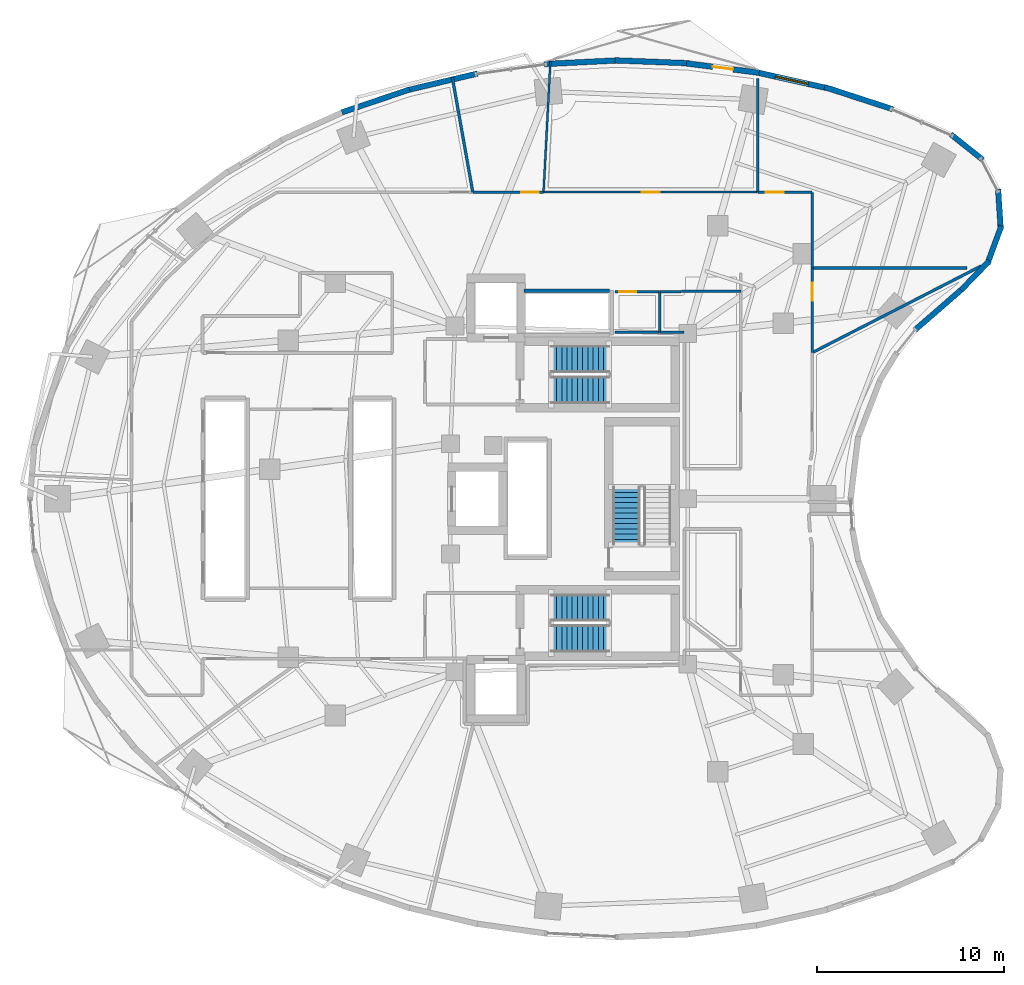
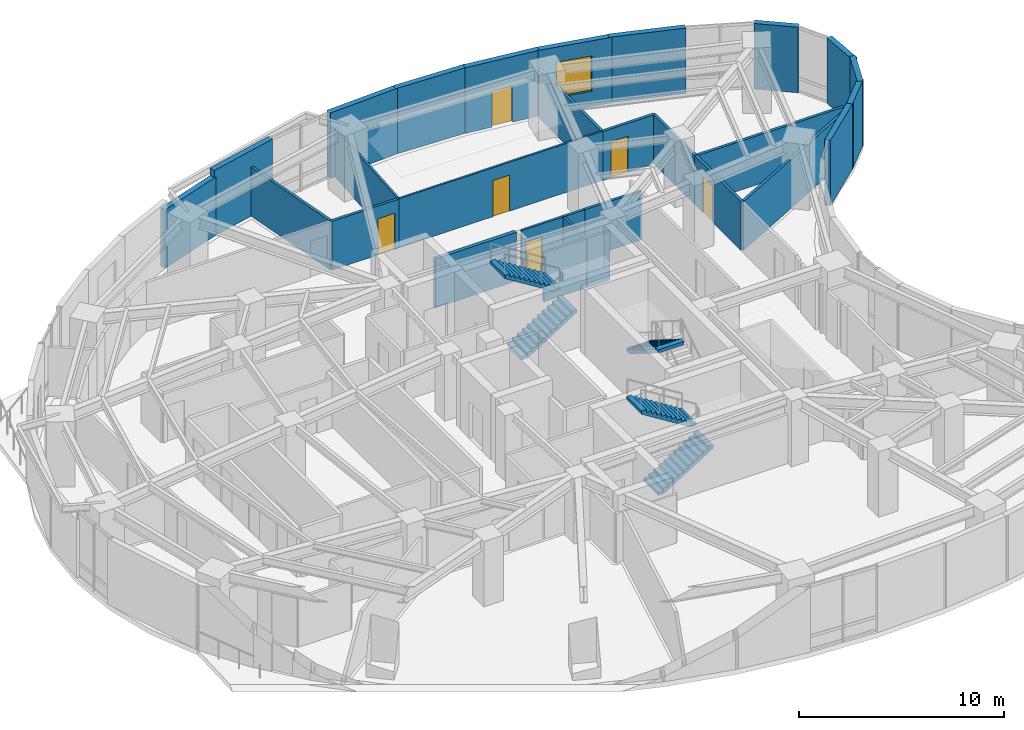
# One storey, part 11 of 15: 29 walls, 6 doors, 5 stair flights, 1 window, 7 openings, 3 elements without a shape of their own.
"""IFC4 building model written with IfcOpenShell, lengths in metres."""

from ifc_helpers import new_model, si_unit, direction, frame, frame_2d, origin, place, context, subcontext, project, spatial, polyline, rectangle, outline, extrude, material, layer, layer_set, type_object, element, fill, aggregate, save


model = new_model("IFC4")

# Units and contexts
model_context = context("Model", 3, precision=1e-05, world=origin(), true_north=direction((0.0, 1.0)))
body_context = subcontext(model_context, "Body", "Model", "MODEL_VIEW")
ifc_project = project(units=[si_unit("LENGTHUNIT", "METRE"), si_unit("AREAUNIT", "SQUARE_METRE"), si_unit("VOLUMEUNIT", "CUBIC_METRE"), si_unit("PLANEANGLEUNIT", "RADIAN"), si_unit("MASSUNIT", "GRAM", prefix="KILO")], contexts=[model_context])

# Site, building, storey
site_placement = place(None, origin())
site = spatial("IfcSite", under=ifc_project, at=site_placement, CompositionType="ELEMENT")
building_placement = place(site_placement, origin())
building = spatial("IfcBuilding", under=site, at=building_placement, Name="Korentha Bioscience Tower", CompositionType="ELEMENT")
storey_placement = place(building_placement, frame((0.0, 0.0, 30.0)))
storey = spatial("IfcBuildingStorey", under=building, at=storey_placement, Name="L06", CompositionType="ELEMENT", Elevation=30.0)

# Wall, opening, door
ifc_material_1 = material(Name="Double-Stud Acoustic Gypsum", Category="gypsum")
ifc_layer_1 = layer(ifc_material_1, 0.14990234375, Name="Double-Stud Acoustic Gypsum")
ifc_layer_set_1 = layer_set([ifc_layer_1], Name="Double-Stud Acoustic Gypsum (IW-L150)")
wall_type_1 = type_object("IfcWallType", Name="Acoustic Laboratory Partition Wall 150", PredefinedType="PARTITIONING", material=ifc_layer_set_1)
wall_1_placement = place(storey_placement, frame((44.2099609375, 34.829833984375, 0.0), z_axis=(0.0, 0.0, 1.0), x_axis=(0.0, 1.0, 0.0)))
wall_1 = element("IfcWall", 1, at=wall_1_placement, inside=storey, type_object=wall_type_1, Name="L06 Robotic Liquid-Handling Suite 09 Entrance Wall", PredefinedType="PARTITIONING", context=body_context, shape_type="SweptSolid", body=[
    extrude(rectangle(XDim=4.51806640625, YDim=0.14990234375, at=frame_2d((2.259033203125, 0.0))), origin(), (0.0, 0.0, 1.0), 2.909912109375),
])
opening_1_placement = place(wall_1_placement, frame((2.77734375, 0.0, 0.0)))
opening_1 = element("IfcOpeningElement", 2, at=opening_1_placement, cuts=wall_1, Name="Opening ID-10L", PredefinedType="OPENING", context=body_context, shape_type="SweptSolid", body=[
    extrude(rectangle(XDim=0.949951171875, YDim=2.14990234375, at=frame_2d((0.47509765625, 1.074951171875))), frame((0.0, 0.08984375, 0.0), z_axis=(0.0, -1.0, 0.0), x_axis=(1.0, 0.0, 0.0)), (0.0, 0.0, 1.0), 0.1796875),
])
ifc_material_2 = material(Name="Phenolic Laminate Timber Core", Category="wood")
door_type_1 = type_object("IfcDoorType", Name="Laboratory Single Leaf Door 950x2150 Left", OperationType="SINGLE_SWING_LEFT", PredefinedType="DOOR", material=ifc_material_2)
door_1_placement = place(opening_1_placement, origin())
door_1 = element("IfcDoor", 3, at=door_1_placement, inside=storey, type_object=door_type_1, Name="L06 Robotic Liquid-Handling Suite 09 Door", OperationType="SINGLE_SWING_LEFT", OverallHeight=2.14990234375, OverallWidth=0.949951171875, PredefinedType="DOOR", context=body_context, shape_type="SweptSolid", body=[
    extrude(rectangle(XDim=0.949951171875, YDim=2.14990234375, at=frame_2d((0.47509765625, 1.074951171875))), frame((0.0, 0.02490234375, 0.0), z_axis=(0.0, -1.0, 0.0), x_axis=(1.0, 0.0, 0.0)), (0.0, 0.0, 1.0), 0.050048828125),
])
fill(opening_1, door_1)

wall_2_placement = place(storey_placement, frame((44.199951171875, 43.409912109375, 0.0), z_axis=(0.0, 0.0, 1.0), x_axis=(-1.0, 0.0, 0.0)))
wall_2 = element("IfcWall", 4, at=wall_2_placement, inside=storey, type_object=wall_type_1, Name="L06 Optical Metrology Darkroom 11 Entrance Wall", PredefinedType="PARTITIONING", context=body_context, shape_type="SweptSolid", body=[
    extrude(rectangle(XDim=2.89794921875, YDim=0.14990234375, at=frame_2d((1.448974609375, 0.0))), origin(), (0.0, 0.0, 1.0), 2.909912109375),
])
opening_2_placement = place(wall_2_placement, frame((1.5126953125, 0.0, 0.0)))
opening_2 = element("IfcOpeningElement", 5, at=opening_2_placement, cuts=wall_2, Name="Opening ID-10L", PredefinedType="OPENING", context=body_context, shape_type="SweptSolid", body=[
    extrude(rectangle(XDim=0.949951171875, YDim=2.14990234375, at=frame_2d((0.47509765625, 1.074951171875))), frame((0.0, 0.08984375, 0.0), z_axis=(0.0, -1.0, 0.0), x_axis=(1.0, 0.0, 0.0)), (0.0, 0.0, 1.0), 0.1796875),
])
door_2_placement = place(opening_2_placement, origin())
door_2 = element("IfcDoor", 6, at=door_2_placement, inside=storey, type_object=door_type_1, Name="L06 Optical Metrology Darkroom 11 Door", OperationType="SINGLE_SWING_LEFT", OverallHeight=2.14990234375, OverallWidth=0.949951171875, PredefinedType="DOOR", context=body_context, shape_type="SweptSolid", body=[
    extrude(rectangle(XDim=0.949951171875, YDim=2.14990234375, at=frame_2d((0.47509765625, 1.074951171875))), frame((0.0, 0.02490234375, 0.0), z_axis=(0.0, -1.0, 0.0), x_axis=(1.0, 0.0, 0.0)), (0.0, 0.0, 1.0), 0.050048828125),
])
fill(opening_2, door_2)

wall_3_placement = place(storey_placement, frame((29.82568359375, 43.409912109375, 0.0), z_axis=(0.0, 0.0, 1.0), x_axis=(-1.0, 0.0, 0.0)))
wall_3 = element("IfcWall", 7, at=wall_3_placement, inside=storey, type_object=wall_type_1, Name="L06 Patent and Regulatory Affairs Office 13 Entrance Wall", PredefinedType="PARTITIONING", context=body_context, shape_type="SweptSolid", body=[
    extrude(rectangle(XDim=3.77734375, YDim=0.14990234375, at=frame_2d((1.888671875, 0.0))), origin(), (0.0, 0.0, 1.0), 2.909912109375),
])
opening_3_placement = place(wall_3_placement, frame((0.239990234375, 0.0, 0.0)))
opening_3 = element("IfcOpeningElement", 8, at=opening_3_placement, cuts=wall_3, Name="Opening ID-10L", PredefinedType="OPENING", context=body_context, shape_type="SweptSolid", body=[
    extrude(rectangle(XDim=0.949951171875, YDim=2.14990234375, at=frame_2d((0.47509765625, 1.074951171875))), frame((0.0, 0.08984375, 0.0), z_axis=(0.0, -1.0, 0.0), x_axis=(1.0, 0.0, 0.0)), (0.0, 0.0, 1.0), 0.1796875),
])
door_3_placement = place(opening_3_placement, origin())
door_3 = element("IfcDoor", 9, at=door_3_placement, inside=storey, type_object=door_type_1, Name="L06 Patent and Regulatory Affairs Office 13 Door", OperationType="SINGLE_SWING_LEFT", OverallHeight=2.14990234375, OverallWidth=0.949951171875, PredefinedType="DOOR", context=body_context, shape_type="SweptSolid", body=[
    extrude(rectangle(XDim=0.949951171875, YDim=2.14990234375, at=frame_2d((0.47509765625, 1.074951171875))), frame((0.0, 0.02490234375, 0.0), z_axis=(0.0, -1.0, 0.0), x_axis=(1.0, 0.0, 0.0)), (0.0, 0.0, 1.0), 0.050048828125),
])
fill(opening_3, door_3)

# Walls
wall_4_placement = place(storey_placement, frame((44.2099609375, 34.818603515625, 0.0), z_axis=(0.0, 0.0, 1.0), x_axis=(0.889650018361, 0.456643016842, 0.0)))
element("IfcWall", 10, at=wall_4_placement, inside=storey, type_object=wall_type_1, Name="L06 Interior Partition 050", PredefinedType="PARTITIONING", context=body_context, shape_type="SweptSolid", body=[
    extrude(rectangle(XDim=10.17431640625, YDim=0.14990234375, at=frame_2d((5.087158203125, 0.0))), origin(), (0.0, 0.0, 1.0), 2.909912109375),
])
wall_5_placement = place(storey_placement, frame((44.2099609375, 39.347900390625, 0.0), z_axis=(0.0, 0.0, 1.0), x_axis=(1.0, 0.0, 0.0)))
element("IfcWall", 11, at=wall_5_placement, inside=storey, type_object=wall_type_1, Name="L06 Interior Partition 051", PredefinedType="PARTITIONING", context=body_context, shape_type="SweptSolid", body=[
    extrude(rectangle(XDim=8.298583984375, YDim=0.14990234375, at=frame_2d((4.1494140625, 0.0))), origin(), (0.0, 0.0, 1.0), 2.909912109375),
])
wall_6_placement = place(storey_placement, frame((44.2099609375, 39.35791015625, 0.0), z_axis=(0.0, 0.0, 1.0), x_axis=(0.0, 1.0, 0.0)))
element("IfcWall", 12, at=wall_6_placement, inside=storey, type_object=wall_type_1, Name="L06 Interior Partition 058", PredefinedType="PARTITIONING", context=body_context, shape_type="SweptSolid", body=[
    extrude(rectangle(XDim=4.0419921875, YDim=0.14990234375, at=frame_2d((2.02099609375, 0.0))), origin(), (0.0, 0.0, 1.0), 2.909912109375),
])
wall_7_placement = place(storey_placement, frame((41.302001953125, 43.409912109375, 0.0), z_axis=(0.0, 0.0, 1.0), x_axis=(0.0, 1.0, 0.0)))
element("IfcWall", 13, at=wall_7_placement, inside=storey, type_object=wall_type_1, Name="L06 Interior Partition 059", PredefinedType="PARTITIONING", context=body_context, shape_type="SweptSolid", body=[
    extrude(rectangle(XDim=6.0908203125, YDim=0.14990234375, at=frame_2d((3.04541015625, 0.0))), origin(), (0.0, 0.0, 1.0), 2.909912109375),
])
wall_8_placement = place(storey_placement, frame((26.04833984375, 43.409912109375, 0.0), z_axis=(0.0, 0.0, 1.0), x_axis=(-0.175605435055, 0.984460629573, 0.0)))
element("IfcWall", 14, at=wall_8_placement, inside=storey, type_object=wall_type_1, Name="L06 Interior Partition 061", PredefinedType="PARTITIONING", context=body_context, shape_type="SweptSolid", body=[
    extrude(rectangle(XDim=6.250732421875, YDim=0.14990234375, at=frame_2d((3.12548828125, 0.0))), origin(), (0.0, 0.0, 1.0), 2.909912109375),
])
ifc_material_3 = material(Name="Insulated Aluminium Honeycomb Panel", Category="aluminium")
ifc_layer_2 = layer(ifc_material_3, 0.139892578125, Name="Insulated Aluminium Honeycomb Panel")
ifc_layer_set_2 = layer_set([ifc_layer_2], Name="Insulated Aluminium Honeycomb Panel (IW-F60)")
wall_type_2 = type_object("IfcWallType", Name="Cleanroom Flush Metal Panel Partition 140", PredefinedType="PARTITIONING", material=ifc_layer_set_2)
wall_9_placement = place(storey_placement, frame((36.06005859375, 38.090087890625, 0.0), z_axis=(0.0, 0.0, 1.0), x_axis=(1.0, 0.0, 0.0)))
element("IfcWall", 15, at=wall_9_placement, inside=storey, type_object=wall_type_2, Name="L06 Interior Partition 052", PredefinedType="PARTITIONING", context=body_context, shape_type="SweptSolid", body=[
    extrude(rectangle(XDim=1.139892578125, YDim=0.139892578125, at=frame_2d((0.56982421875, 0.0))), origin(), (0.0, 0.0, 1.0), 2.909912109375),
])
wall_10_placement = place(storey_placement, frame((37.2099609375, 38.10009765625, 0.0), z_axis=(0.0, 0.0, 1.0), x_axis=(1.0, 0.0, 0.0)))
element("IfcWall", 16, at=wall_10_placement, inside=storey, type_object=wall_type_2, Name="L06 Interior Partition 054", PredefinedType="PARTITIONING", context=body_context, shape_type="SweptSolid", body=[
    extrude(rectangle(XDim=3.179931640625, YDim=0.139892578125, at=frame_2d((1.58984375, 0.0))), origin(), (0.0, 0.0, 1.0), 2.909912109375),
])
wall_11_placement = place(storey_placement, frame((37.35009765625, 35.909912109375, 0.0), z_axis=(0.0, 0.0, 1.0), x_axis=(-1.0, 0.0, 0.0)))
element("IfcWall", 17, at=wall_11_placement, inside=storey, type_object=wall_type_2, Name="L06 Interior Partition 057", PredefinedType="PARTITIONING", context=body_context, shape_type="SweptSolid", body=[
    extrude(rectangle(XDim=1.2900390625, YDim=0.139892578125, at=frame_2d((0.64501953125, 0.0))), origin(), (0.0, 0.0, 1.0), 2.909912109375),
])

# Wall, opening, door
ifc_material_4 = material(Name="Fire-Rated Framed Glass", Category="glass")
ifc_layer_3 = layer(ifc_material_4, 0.110107421875, Name="Fire-Rated Framed Glass")
ifc_layer_set_3 = layer_set([ifc_layer_3], Name="Fire-Rated Framed Glass (IW-G110)")
wall_type_3 = type_object("IfcWallType", Name="Demountable Glazed Office Partition 110", PredefinedType="MOVABLE", material=ifc_layer_set_3)
wall_12_placement = place(storey_placement, frame((41.2919921875, 43.409912109375, 0.0), z_axis=(0.0, 0.0, 1.0), x_axis=(-1.0, 0.0, 0.0)))
wall_12 = element("IfcWall", 18, at=wall_12_placement, inside=storey, type_object=wall_type_3, Name="L06 Visiting Faculty Study Office 12 Entrance Wall", PredefinedType="MOVABLE", context=body_context, shape_type="SweptSolid", body=[
    extrude(rectangle(XDim=11.456298828125, YDim=0.110107421875, at=frame_2d((5.72802734375, 0.0))), origin(), (0.0, 0.0, 1.0), 2.909912109375),
])
opening_4_placement = place(wall_12_placement, frame((5.2392578125, 0.0, 0.0)))
opening_4 = element("IfcOpeningElement", 19, at=opening_4_placement, cuts=wall_12, Name="Opening ID-10R", PredefinedType="OPENING", context=body_context, shape_type="SweptSolid", body=[
    extrude(rectangle(XDim=0.949951171875, YDim=2.14990234375, at=frame_2d((0.47509765625, 1.074951171875))), frame((0.0, 0.06982421875, 0.0), z_axis=(0.0, -1.0, 0.0), x_axis=(1.0, 0.0, 0.0)), (0.0, 0.0, 1.0), 0.139892578125),
])
door_type_2 = type_object("IfcDoorType", Name="Laboratory Single Leaf Door 950x2150 Right", OperationType="SINGLE_SWING_RIGHT", PredefinedType="DOOR", material=ifc_material_2)
door_4_placement = place(opening_4_placement, origin())
door_4 = element("IfcDoor", 20, at=door_4_placement, inside=storey, type_object=door_type_2, Name="L06 Visiting Faculty Study Office 12 Door", OperationType="SINGLE_SWING_RIGHT", OverallHeight=2.14990234375, OverallWidth=0.949951171875, PredefinedType="DOOR", context=body_context, shape_type="SweptSolid", body=[
    extrude(rectangle(XDim=0.949951171875, YDim=2.14990234375, at=frame_2d((0.47509765625, 1.074951171875))), frame((0.0, 0.02490234375, 0.0), z_axis=(0.0, -1.0, 0.0), x_axis=(1.0, 0.0, 0.0)), (0.0, 0.0, 1.0), 0.050048828125),
])
fill(opening_4, door_4)

# Wall
wall_13_placement = place(storey_placement, frame((29.835693359375, 43.409912109375, 0.0), z_axis=(0.0, 0.0, 1.0), x_axis=(0.052328125399, 0.998629945121, 0.0)))
element("IfcWall", 21, at=wall_13_placement, inside=storey, type_object=wall_type_3, Name="L06 Interior Partition 060", PredefinedType="MOVABLE", context=body_context, shape_type="SweptSolid", body=[
    extrude(rectangle(XDim=6.998291015625, YDim=0.110107421875, at=frame_2d((3.4990234375, 0.0))), origin(), (0.0, 0.0, 1.0), 2.909912109375),
])

# Wall, opening, window
ifc_material_5 = material(Name="Honed Limestone Precast Concrete C40", Category="masonry")
ifc_layer_4 = layer(ifc_material_5, 0.300048828125, Name="Honed Limestone Precast Concrete C40")
ifc_layer_set_4 = layer_set([ifc_layer_4], Name="Honed Limestone Precast Concrete C40 (EW-ST300)")
wall_type_4 = type_object("IfcWallType", Name="Honed Limestone Cavity Spandrel Wall 300", PredefinedType="STANDARD", material=ifc_layer_set_4)
wall_14_placement = place(storey_placement, frame((45.015869140625, 48.97607421875, 0.0), z_axis=(0.0, 0.0, 1.0), x_axis=(-0.9758772609, 0.218319883791, 0.0)))
wall_14 = element("IfcWall", 22, at=wall_14_placement, inside=storey, type_object=wall_type_4, Name="L06 Honed Limestone Spandrel Wall 03", PredefinedType="STANDARD", context=body_context, shape_type="SweptSolid", body=[
    extrude(rectangle(XDim=3.869140625, YDim=0.300048828125, at=frame_2d((1.9345703125, 0.0))), origin(), (0.0, 0.0, 1.0), 3.89990234375),
])
opening_5_placement = place(wall_14_placement, frame((1.034423828125, 0.0, 0.89990234375)))
opening_5 = element("IfcOpeningElement", 23, at=opening_5_placement, cuts=wall_14, Name="Opening WN-01", PredefinedType="OPENING", context=body_context, shape_type="SweptSolid", body=[
    extrude(rectangle(XDim=1.800048828125, YDim=2.10009765625, at=frame_2d((0.89990234375, 1.050048828125))), frame((0.0, 0.1650390625, 0.0), z_axis=(0.0, -1.0, 0.0), x_axis=(1.0, 0.0, 0.0)), (0.0, 0.0, 1.0), 0.329833984375),
])
ifc_material_6 = material(Name="Thermally Broken Aluminium Triple Glazing", Category="aluminium")
window_type = type_object("IfcWindowType", Name="Triple-Glazed Fixed Bioscience Window 1800x2100", PartitioningType="SINGLE_PANEL", PredefinedType="WINDOW", material=ifc_material_6)
window_placement = place(opening_5_placement, origin())
window = element("IfcWindow", 24, at=window_placement, inside=storey, type_object=window_type, Name="L06 Facade Window 03", OverallHeight=2.10009765625, OverallWidth=1.800048828125, PartitioningType="SINGLE_PANEL", PredefinedType="WINDOW", context=body_context, shape_type="SweptSolid", body=[
    extrude(rectangle(XDim=1.800048828125, YDim=2.10009765625, at=frame_2d((0.89990234375, 1.050048828125))), frame((0.0, 0.030029296875, 0.0), z_axis=(0.0, -1.0, 0.0), x_axis=(1.0, 0.0, 0.0)), (0.0, 0.0, 1.0), 0.06005859375),
])
fill(opening_5, window)

# Wall, opening, door
wall_15_placement = place(storey_placement, frame((41.37255859375, 49.797607421875, 0.0), z_axis=(0.0, 0.0, 1.0), x_axis=(-0.991741322416, 0.128254237408, 0.0)))
wall_15 = element("IfcWall", 25, at=wall_15_placement, inside=storey, type_object=wall_type_4, Name="L06 Balcony Threshold Wall 01", PredefinedType="STANDARD", context=body_context, shape_type="SweptSolid", body=[
    extrude(rectangle(XDim=3.91552734375, YDim=0.300048828125, at=frame_2d((1.957763671875, 0.0))), origin(), (0.0, 0.0, 1.0), 3.89990234375),
])
opening_6_placement = place(wall_15_placement, frame((1.407958984375, 0.0, 0.0)))
opening_6 = element("IfcOpeningElement", 26, at=opening_6_placement, cuts=wall_15, Name="Opening BD-11L", PredefinedType="OPENING", context=body_context, shape_type="SweptSolid", body=[
    extrude(rectangle(XDim=1.10009765625, YDim=2.14990234375, at=frame_2d((0.550048828125, 1.074951171875))), frame((0.0, 0.1650390625, 0.0), z_axis=(0.0, -1.0, 0.0), x_axis=(1.0, 0.0, 0.0)), (0.0, 0.0, 1.0), 0.329833984375),
])
ifc_material_7 = material(Name="Thermally Broken Glazed Aluminium", Category="aluminium")
door_type_3 = type_object("IfcDoorType", Name="Balcony Terrace Glazed Door 1100x2150 Left", OperationType="SINGLE_SWING_LEFT", PredefinedType="DOOR", material=ifc_material_7)
door_5_placement = place(opening_6_placement, origin())
door_5 = element("IfcDoor", 27, at=door_5_placement, inside=storey, type_object=door_type_3, Name="L06 Balcony Access Door 01", OperationType="SINGLE_SWING_LEFT", OverallHeight=2.14990234375, OverallWidth=1.10009765625, PredefinedType="DOOR", context=body_context, shape_type="SweptSolid", body=[
    extrude(rectangle(XDim=1.10009765625, YDim=2.14990234375, at=frame_2d((0.550048828125, 1.074951171875))), frame((0.0, 0.02490234375, 0.0), z_axis=(0.0, -1.0, 0.0), x_axis=(1.0, 0.0, 0.0)), (0.0, 0.0, 1.0), 0.050048828125),
])
fill(opening_6, door_5)

# Walls
wall_16_placement = place(storey_placement, frame((48.524658203125, 47.84912109375, 0.0), z_axis=(0.0, 0.0, 1.0), x_axis=(-0.950965833732, 0.309295947393, 0.0)))
element("IfcWall", 28, at=wall_16_placement, inside=storey, type_object=wall_type_4, Name="L06 Limestone Perimeter Closure Wall 02", PredefinedType="STANDARD", context=body_context, shape_type="SweptSolid", body=[
    extrude(rectangle(XDim=3.840087890625, YDim=0.300048828125, at=frame_2d((1.919921875, 0.0))), origin(), (0.0, 0.0, 1.0), 3.89990234375),
])
wall_17_placement = place(storey_placement, frame((37.643798828125, 50.307861328125, 0.0), z_axis=(0.0, 0.0, 1.0), x_axis=(-0.999245411623, 0.038840794937, 0.0)))
element("IfcWall", 29, at=wall_17_placement, inside=storey, type_object=wall_type_4, Name="L06 Limestone Perimeter Closure Wall 05", PredefinedType="STANDARD", context=body_context, shape_type="SweptSolid", body=[
    extrude(rectangle(XDim=3.978759765625, YDim=0.300048828125, at=frame_2d((1.9892578125, 0.0))), origin(), (0.0, 0.0, 1.0), 3.89990234375),
])
wall_18_placement = place(storey_placement, frame((33.84033203125, 50.46337890625, 0.0), z_axis=(0.0, 0.0, 1.0), x_axis=(-0.998732359232, -0.050335619826, 0.0)))
element("IfcWall", 30, at=wall_18_placement, inside=storey, type_object=wall_type_4, Name="L06 Limestone Perimeter Closure Wall 06", PredefinedType="STANDARD", context=body_context, shape_type="SweptSolid", body=[
    extrude(rectangle(XDim=3.977294921875, YDim=0.300048828125, at=frame_2d((1.98876953125, 0.0))), origin(), (0.0, 0.0, 1.0), 3.89990234375),
])
wall_19_placement = place(storey_placement, frame((26.29736328125, 49.7587890625, 0.0), z_axis=(0.0, 0.0, 1.0), x_axis=(-0.973197600754, -0.229970497863, 0.0)))
element("IfcWall", 31, at=wall_19_placement, inside=storey, type_object=wall_type_4, Name="L06 Limestone Perimeter Closure Wall 08", PredefinedType="STANDARD", context=body_context, shape_type="SweptSolid", body=[
    extrude(rectangle(XDim=3.9013671875, YDim=0.300048828125, at=frame_2d((1.95068359375, 0.0))), origin(), (0.0, 0.0, 1.0), 3.89990234375),
])
wall_20_placement = place(storey_placement, frame((22.6669921875, 48.9091796875, 0.0), z_axis=(0.0, 0.0, 1.0), x_axis=(-0.94702579403, -0.321157508773, 0.0)))
element("IfcWall", 32, at=wall_20_placement, inside=storey, type_object=wall_type_4, Name="L06 Limestone Perimeter Closure Wall 09", PredefinedType="STANDARD", context=body_context, shape_type="SweptSolid", body=[
    extrude(rectangle(XDim=3.829833984375, YDim=0.300048828125, at=frame_2d((1.9150390625, 0.0))), origin(), (0.0, 0.0, 1.0), 3.469970703125),
])
wall_21_placement = place(storey_placement, frame((49.708984375, 36.029296875, 0.0), z_axis=(0.0, 0.0, 1.0), x_axis=(0.754746490246, 0.656016566454, 0.0)))
element("IfcWall", 33, at=wall_21_placement, inside=storey, type_object=wall_type_4, Name="L06 Limestone Perimeter Closure Wall 56", PredefinedType="STANDARD", context=body_context, shape_type="SweptSolid", body=[
    extrude(rectangle(XDim=3.4296875, YDim=0.300048828125, at=frame_2d((1.71484375, 0.0))), origin(), (0.0, 0.0, 1.0), 3.89990234375),
])
wall_22_placement = place(storey_placement, frame((52.1728515625, 38.1611328125, 0.0), z_axis=(0.0, 0.0, 1.0), x_axis=(0.695404695719, 0.718618333451, 0.0)))
element("IfcWall", 34, at=wall_22_placement, inside=storey, type_object=wall_type_4, Name="L06 Limestone Perimeter Closure Wall 58", PredefinedType="STANDARD", context=body_context, shape_type="SweptSolid", body=[
    extrude(rectangle(XDim=2.1875, YDim=0.300048828125, at=frame_2d((1.09375, 0.0))), origin(), (0.0, 0.0, 1.0), 3.89990234375),
])
for number, where, z_axis, x_axis, name in (
    (35, (53.580078125, 39.551513671875, 0.0), (0.0, 0.0, 1.0), (0.344939866054, 0.938624785954, 0.0), "L06 Limestone Perimeter Closure Wall 59"),
    (36, (54.303955078125, 41.392578125, 0.0), (0.0, 0.0, 1.0), (-0.064615302336, 0.99791024782, 0.0), "L06 Limestone Perimeter Closure Wall 60"),
    (37, (53.343994140625, 45.142822265625, 0.0), (0.0, 0.0, 1.0), (-0.782282158644, 0.622924252432, 0.0), "L06 Limestone Perimeter Closure Wall 62"),
):
    element("IfcWall", number, at=place(storey_placement, frame(where, z_axis=z_axis, x_axis=x_axis)), inside=storey, type_object=wall_type_4, Name=name, PredefinedType="STANDARD", context=body_context, shape_type="SweptSolid", body=[
        extrude(rectangle(XDim=2.187744140625, YDim=0.300048828125, at=frame_2d((1.09375, 0.0))), origin(), (0.0, 0.0, 1.0), 3.89990234375),
    ])
ifc_material_8 = material(Name="Autoclaved Aerated Concrete Block C25", Category="concrete")
ifc_layer_5 = layer(ifc_material_8, 0.199951171875, Name="Autoclaved Aerated Concrete Block C25")
ifc_layer_set_5 = layer_set([ifc_layer_5], Name="Autoclaved Aerated Concrete Block C25 (IW-S200)")
wall_type_5 = type_object("IfcWallType", Name="Lift and Riser Shaft Enclosure Wall 200", PredefinedType="PARTITIONING", material=ifc_layer_set_5)
wall_23_placement = place(storey_placement, frame((28.800048828125, 38.139892578125, 0.0), z_axis=(0.0, 0.0, 1.0), x_axis=(1.0, 0.0, 0.0)))
element("IfcWall", 38, at=wall_23_placement, inside=storey, type_object=wall_type_5, Name="L06 Lift Bank OBS Shaft Wall +Y", PredefinedType="PARTITIONING", context=body_context, shape_type="SweptSolid", body=[
    extrude(rectangle(XDim=4.570068359375, YDim=0.199951171875, at=frame_2d((2.28515625, 0.0))), origin(), (0.0, 0.0, 1.0), 2.909912109375),
])

# Wall, opening, door
ifc_material_9 = material(Name="Cement-Board Steel Stud", Category="steel")
ifc_layer_6 = layer(ifc_material_9, 0.1298828125, Name="Cement-Board Steel Stud")
ifc_layer_set_6 = layer_set([ifc_layer_6], Name="Cement-Board Steel Stud (IW-W130)")
wall_type_6 = type_object("IfcWallType", Name="Wet-Area Moisture-Resistant Partition 130", PredefinedType="PARTITIONING", material=ifc_layer_set_6)
wall_24_placement = place(storey_placement, frame((33.64990234375, 38.090087890625, 0.0), z_axis=(0.0, 0.0, 1.0), x_axis=(1.0, 0.0, 0.0)))
wall_24 = element("IfcWall", 39, at=wall_24_placement, inside=storey, type_object=wall_type_6, Name="L06 Accessible Staff WC Entrance Wall", PredefinedType="PARTITIONING", context=body_context, shape_type="SweptSolid", body=[
    extrude(rectangle(XDim=2.400146484375, YDim=0.1298828125, at=frame_2d((1.2001953125, 0.0))), origin(), (0.0, 0.0, 1.0), 2.909912109375),
])
opening_7_placement = place(wall_24_placement, frame((0.239990234375, 0.0, 0.0)))
opening_7 = element("IfcOpeningElement", 40, at=opening_7_placement, cuts=wall_24, Name="Opening ID-09R", PredefinedType="OPENING", context=body_context, shape_type="SweptSolid", body=[
    extrude(rectangle(XDim=0.89990234375, YDim=2.14990234375, at=frame_2d((0.449951171875, 1.074951171875))), frame((0.0, 0.079833984375, 0.0), z_axis=(0.0, -1.0, 0.0), x_axis=(1.0, 0.0, 0.0)), (0.0, 0.0, 1.0), 0.15966796875),
])
ifc_material_10 = material(Name="Moisture-Resistant HPL Leaf", Category="wood")
door_type_4 = type_object("IfcDoorType", Name="Restroom & Accessible WC Door 900x2150 Right", OperationType="SINGLE_SWING_RIGHT", PredefinedType="DOOR", material=ifc_material_10)
door_6_placement = place(opening_7_placement, origin())
door_6 = element("IfcDoor", 41, at=door_6_placement, inside=storey, type_object=door_type_4, Name="L06 Accessible Staff WC Door", OperationType="SINGLE_SWING_RIGHT", OverallHeight=2.14990234375, OverallWidth=0.89990234375, PredefinedType="DOOR", context=body_context, shape_type="SweptSolid", body=[
    extrude(rectangle(XDim=0.89990234375, YDim=2.14990234375, at=frame_2d((0.449951171875, 1.074951171875))), frame((0.0, 0.02490234375, 0.0), z_axis=(0.0, -1.0, 0.0), x_axis=(1.0, 0.0, 0.0)), (0.0, 0.0, 1.0), 0.050048828125),
])
fill(opening_7, door_6)

# Walls
wall_25_placement = place(storey_placement, frame((36.050048828125, 35.909912109375, 0.0), z_axis=(0.0, 0.0, 1.0), x_axis=(-1.0, 0.0, 0.0)))
element("IfcWall", 42, at=wall_25_placement, inside=storey, type_object=wall_type_6, Name="L06 Interior Partition 018", PredefinedType="PARTITIONING", context=body_context, shape_type="SweptSolid", body=[
    extrude(rectangle(XDim=2.400146484375, YDim=0.1298828125, at=frame_2d((1.2001953125, 0.0))), origin(), (0.0, 0.0, 1.0), 2.909912109375),
])
wall_26_placement = place(storey_placement, frame((36.050048828125, 38.090087890625, 0.0), z_axis=(0.0, 0.0, 1.0), x_axis=(0.0, -1.0, 0.0)))
element("IfcWall", 43, at=wall_26_placement, inside=storey, type_object=wall_type_6, Name="L06 Interior Partition 019", PredefinedType="PARTITIONING", context=body_context, shape_type="SweptSolid", body=[
    extrude(rectangle(XDim=2.18017578125, YDim=0.1298828125, at=frame_2d((1.090087890625, 0.0))), origin(), (0.0, 0.0, 1.0), 2.909912109375),
])

# Stair, stair flights
ifc_material_11 = material(Name="Precast Concrete C50", Category="concrete")
stair_type = type_object("IfcStairType", Name="Core Exit Dog-Leg Stair 1450", PredefinedType="HALF_TURN_STAIR", material=ifc_material_11)
stair_1_placement = place(storey_placement, origin())
stair_1 = element("IfcStair", 44, at=stair_1_placement, inside=storey, type_object=stair_type, Name="L06 Tower North Pressurized Exit Stair ST-1", PredefinedType="HALF_TURN_STAIR")
stair_flight_type = type_object("IfcStairFlightType", Name="Core Exit Dog-Leg Stair 1450 Flight", PredefinedType="STRAIGHT", material=ifc_material_11)
stair_flight_1_placement = place(storey_placement, frame((30.25, 32.824951171875, 0.0), z_axis=(0.0, 0.0, 1.0), x_axis=(1.0, 0.0, 0.0)))
stair_flight_1 = element("IfcStairFlight", 45, at=stair_flight_1_placement, type_object=stair_flight_type, Name="ST-1 flight 1", NumberOfRisers=12, NumberOfTreads=11, PredefinedType="STRAIGHT", RiserHeight=0.175, TreadLength=0.28, context=body_context, shape_type="SweptSolid", body=[
    extrude(outline(polyline([(0.0, 0.0), (0.0, 0.175048828125), (0.280029296875, 0.175048828125), (0.280029296875, 0.35009765625), (0.56005859375, 0.35009765625), (0.56005859375, 0.52490234375), (0.840087890625, 0.52490234375), (0.840087890625, 0.699951171875), (1.1201171875, 0.699951171875), (1.1201171875, 0.875), (1.39990234375, 0.875), (1.39990234375, 1.050048828125), (1.679931640625, 1.050048828125), (1.679931640625, 1.22509765625), (1.9599609375, 1.22509765625), (1.9599609375, 1.39990234375), (2.239990234375, 1.39990234375), (2.239990234375, 1.574951171875), (2.52001953125, 1.574951171875), (2.52001953125, 1.75), (2.800048828125, 1.75), (2.800048828125, 1.925048828125), (3.080078125, 1.925048828125), (3.080078125, 2.10009765625), (3.080078125, 1.736328125), (0.3017578125, 0.0), (0.0, 0.0)])), frame((0.0, 0.72509765625, 0.0), z_axis=(0.0, -1.0, 0.0), x_axis=(1.0, 0.0, 0.0)), (0.0, 0.0, 1.0), 1.449951171875),
])
stair_flight_2_placement = place(storey_placement, frame((33.330078125, 34.47509765625, 2.10009765625), z_axis=(0.0, 0.0, 1.0), x_axis=(-1.0, 0.0, 0.0)))
stair_flight_2 = element("IfcStairFlight", 46, at=stair_flight_2_placement, type_object=stair_flight_type, Name="ST-1 flight 2", NumberOfRisers=12, NumberOfTreads=11, PredefinedType="STRAIGHT", RiserHeight=0.175, TreadLength=0.28, context=body_context, shape_type="SweptSolid", body=[
    extrude(outline(polyline([(0.0, 0.0), (0.0, 0.175048828125), (0.280029296875, 0.175048828125), (0.280029296875, 0.35009765625), (0.56005859375, 0.35009765625), (0.56005859375, 0.52490234375), (0.840087890625, 0.52490234375), (0.840087890625, 0.699951171875), (1.1201171875, 0.699951171875), (1.1201171875, 0.875), (1.39990234375, 0.875), (1.39990234375, 1.050048828125), (1.679931640625, 1.050048828125), (1.679931640625, 1.22509765625), (1.9599609375, 1.22509765625), (1.9599609375, 1.39990234375), (2.239990234375, 1.39990234375), (2.239990234375, 1.574951171875), (2.52001953125, 1.574951171875), (2.52001953125, 1.75), (2.800048828125, 1.75), (2.800048828125, 1.925048828125), (3.080078125, 1.925048828125), (3.080078125, 2.10009765625), (3.080078125, 1.736328125), (0.3017578125, 0.0), (0.0, 0.0)])), frame((0.0, 0.72509765625, 0.0), z_axis=(0.0, -1.0, 0.0), x_axis=(1.0, 0.0, 0.0)), (0.0, 0.0, 1.0), 1.449951171875),
])
aggregate(stair_1, [stair_flight_1, stair_flight_2])

stair_2_placement = place(storey_placement, origin())
stair_2 = element("IfcStair", 47, at=stair_2_placement, inside=storey, type_object=stair_type, Name="L06 Tower South Pressurized Exit Stair ST-2", PredefinedType="HALF_TURN_STAIR")
stair_flight_3_placement = place(storey_placement, frame((30.25, 19.52490234375, 0.0), z_axis=(0.0, 0.0, 1.0), x_axis=(1.0, 0.0, 0.0)))
stair_flight_3 = element("IfcStairFlight", 48, at=stair_flight_3_placement, type_object=stair_flight_type, Name="ST-2 flight 1", NumberOfRisers=12, NumberOfTreads=11, PredefinedType="STRAIGHT", RiserHeight=0.175, TreadLength=0.28, context=body_context, shape_type="SweptSolid", body=[
    extrude(outline(polyline([(0.0, 0.0), (0.0, 0.175048828125), (0.280029296875, 0.175048828125), (0.280029296875, 0.35009765625), (0.56005859375, 0.35009765625), (0.56005859375, 0.52490234375), (0.840087890625, 0.52490234375), (0.840087890625, 0.699951171875), (1.1201171875, 0.699951171875), (1.1201171875, 0.875), (1.39990234375, 0.875), (1.39990234375, 1.050048828125), (1.679931640625, 1.050048828125), (1.679931640625, 1.22509765625), (1.9599609375, 1.22509765625), (1.9599609375, 1.39990234375), (2.239990234375, 1.39990234375), (2.239990234375, 1.574951171875), (2.52001953125, 1.574951171875), (2.52001953125, 1.75), (2.800048828125, 1.75), (2.800048828125, 1.925048828125), (3.080078125, 1.925048828125), (3.080078125, 2.10009765625), (3.080078125, 1.736328125), (0.3017578125, 0.0), (0.0, 0.0)])), frame((0.0, 0.72509765625, 0.0), z_axis=(0.0, -1.0, 0.0), x_axis=(1.0, 0.0, 0.0)), (0.0, 0.0, 1.0), 1.449951171875),
])
stair_flight_4_placement = place(storey_placement, frame((33.330078125, 21.175048828125, 2.10009765625), z_axis=(0.0, 0.0, 1.0), x_axis=(-1.0, 0.0, 0.0)))
stair_flight_4 = element("IfcStairFlight", 49, at=stair_flight_4_placement, type_object=stair_flight_type, Name="ST-2 flight 2", NumberOfRisers=12, NumberOfTreads=11, PredefinedType="STRAIGHT", RiserHeight=0.175, TreadLength=0.28, context=body_context, shape_type="SweptSolid", body=[
    extrude(outline(polyline([(0.0, 0.0), (0.0, 0.175048828125), (0.280029296875, 0.175048828125), (0.280029296875, 0.35009765625), (0.56005859375, 0.35009765625), (0.56005859375, 0.52490234375), (0.840087890625, 0.52490234375), (0.840087890625, 0.699951171875), (1.1201171875, 0.699951171875), (1.1201171875, 0.875), (1.39990234375, 0.875), (1.39990234375, 1.050048828125), (1.679931640625, 1.050048828125), (1.679931640625, 1.22509765625), (1.9599609375, 1.22509765625), (1.9599609375, 1.39990234375), (2.239990234375, 1.39990234375), (2.239990234375, 1.574951171875), (2.52001953125, 1.574951171875), (2.52001953125, 1.75), (2.800048828125, 1.75), (2.800048828125, 1.925048828125), (3.080078125, 1.925048828125), (3.080078125, 2.10009765625), (3.080078125, 1.736328125), (0.3017578125, 0.0), (0.0, 0.0)])), frame((0.0, 0.72509765625, 0.0), z_axis=(0.0, -1.0, 0.0), x_axis=(1.0, 0.0, 0.0)), (0.0, 0.0, 1.0), 1.449951171875),
])
aggregate(stair_2, [stair_flight_3, stair_flight_4])

# Stair, stair flight
stair_3_placement = place(storey_placement, origin())
stair_3 = element("IfcStair", 50, at=stair_3_placement, inside=storey, type_object=stair_type, Name="L06 Tower Central Pressurized Exit Stair ST-3", PredefinedType="HALF_TURN_STAIR")
stair_flight_5_placement = place(storey_placement, frame((34.27490234375, 27.6298828125, 2.10009765625), z_axis=(0.0, 0.0, 1.0), x_axis=(0.0, -1.0, 0.0)))
stair_flight_5 = element("IfcStairFlight", 51, at=stair_flight_5_placement, type_object=stair_flight_type, Name="ST-3 flight 2", NumberOfRisers=12, NumberOfTreads=11, PredefinedType="STRAIGHT", RiserHeight=0.175, TreadLength=0.28, context=body_context, shape_type="SweptSolid", body=[
    extrude(outline(polyline([(0.0, 0.0), (0.0, 0.175048828125), (0.280029296875, 0.175048828125), (0.280029296875, 0.35009765625), (0.56005859375, 0.35009765625), (0.56005859375, 0.52490234375), (0.840087890625, 0.52490234375), (0.840087890625, 0.699951171875), (1.1201171875, 0.699951171875), (1.1201171875, 0.875), (1.39990234375, 0.875), (1.39990234375, 1.050048828125), (1.679931640625, 1.050048828125), (1.679931640625, 1.22509765625), (1.9599609375, 1.22509765625), (1.9599609375, 1.39990234375), (2.239990234375, 1.39990234375), (2.239990234375, 1.574951171875), (2.52001953125, 1.574951171875), (2.52001953125, 1.75), (2.800048828125, 1.75), (2.800048828125, 1.925048828125), (3.080078125, 1.925048828125), (3.080078125, 2.10009765625), (3.080078125, 1.736328125), (0.3017578125, 0.0), (0.0, 0.0)])), frame((0.0, 0.72509765625, 0.0), z_axis=(0.0, -1.0, 0.0), x_axis=(1.0, 0.0, 0.0)), (0.0, 0.0, 1.0), 1.449951171875),
])
aggregate(stair_3, [stair_flight_5])

save(model, "model.ifc")
